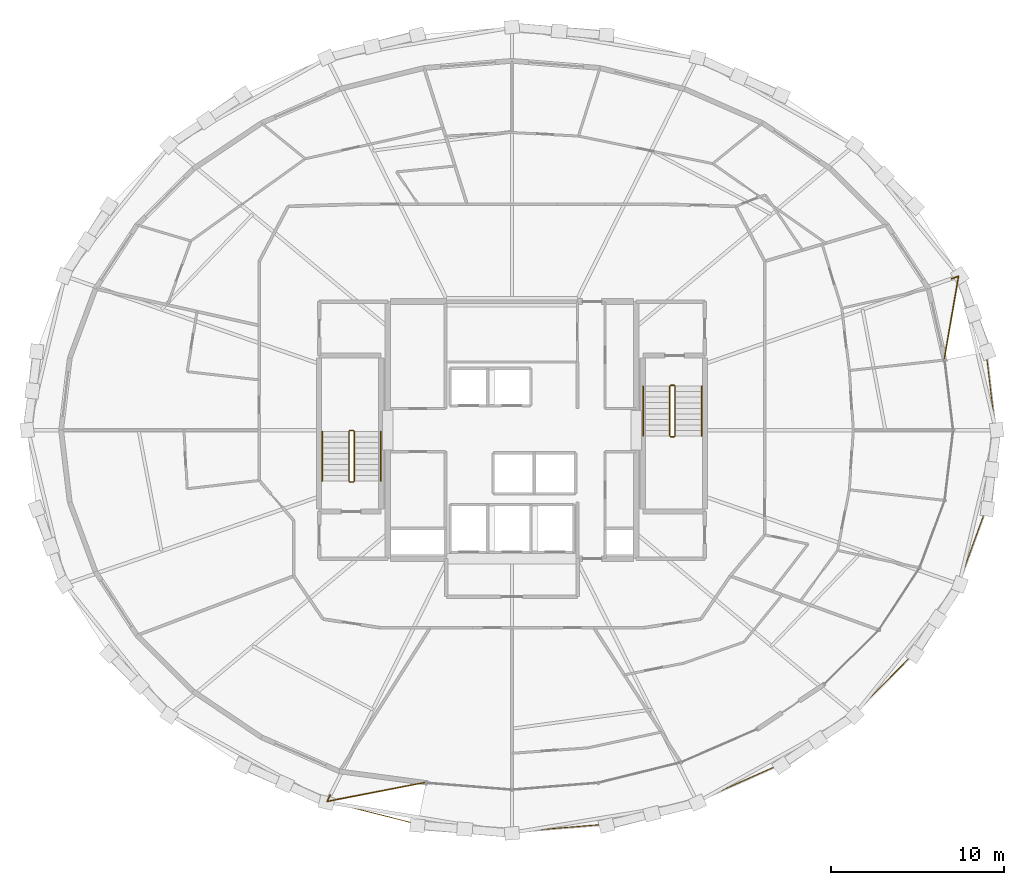
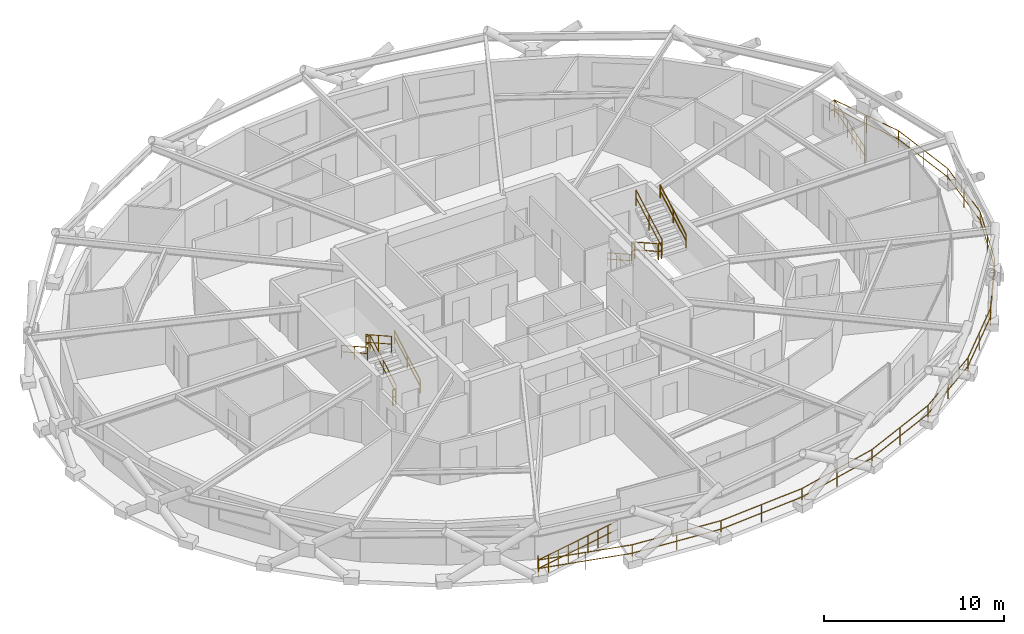
# One storey, part 19 of 19: 15 railings.
"""IFC4 building model written with IfcOpenShell, lengths in metres."""

import ifcopenshell
import ifcopenshell.guid

model = None  # the IFC model being written
_history = None  # IfcOwnerHistory: only IFC2X3 demands one
_inside = {}  # id of a spatial element -> (the spatial element, [elements in it])
_under = {}  # id of a project, library or spatial element -> (it, [spatial elements below it])
_declared = {}  # id of a project -> (the project, [libraries it declares])
_typed = {}  # id of a type object -> (the type object, [elements of that type])
_made_of = {}  # id of a material, layer set ... -> (it, [elements and type objects made of it])


def new_model(schema):
    """Start an empty IFC model of exactly this schema.

    Asked for "IFC4X3", IfcOpenShell would pick the latest addendum, in which some entities
    have other attributes; the version numbers below select the first issue.
    IFC2X3 requires an IfcOwnerHistory on every rooted entity: one is made here for all.
    """
    global model, _history
    if schema == "IFC4X3":
        model = ifcopenshell.file(schema_version=(4, 3, 0, 0))
    else:
        model = ifcopenshell.file(schema=schema)
    _inside.clear()
    _under.clear()
    _declared.clear()
    _typed.clear()
    _made_of.clear()
    _history = None
    if model.schema == "IFC2X3":
        org = make("IfcOrganization", Name="unknown")
        user = make(
            "IfcPersonAndOrganization",
            ThePerson=make("IfcPerson", FamilyName="unknown"),
            TheOrganization=org,
        )
        app = make(
            "IfcApplication",
            ApplicationDeveloper=org,
            Version="unknown",
            ApplicationFullName="unknown",
            ApplicationIdentifier="unknown",
        )
        _history = make(
            "IfcOwnerHistory",
            OwningUser=user,
            OwningApplication=app,
            ChangeAction="ADDED",
            CreationDate=0,
        )
    return model


def make(cls, **values):
    """One entity of the class cls with the attributes given. An attribute that is None is left unset."""
    return model.create_entity(
        cls, **{name: value for name, value in values.items() if value is not None}
    )


def rooted(cls, **values):
    """An entity with a GlobalId (a new one), such as an element, a storey or a relation."""
    return make(cls, GlobalId=ifcopenshell.guid.new(), OwnerHistory=_history, **values)


def si_unit(unit_type, name, prefix=None):
    """IfcSIUnit, for example si_unit("LENGTHUNIT", "METRE", prefix="MILLI")."""
    return make("IfcSIUnit", UnitType=unit_type, Prefix=prefix, Name=name)


def assignment(units):
    """IfcUnitAssignment: the units of a project."""
    return None if units is None else make("IfcUnitAssignment", Units=units)


def point(xyz):
    """IfcCartesianPoint."""
    return None if xyz is None else make("IfcCartesianPoint", Coordinates=xyz)


def direction(xyz):
    """IfcDirection."""
    return None if xyz is None else make("IfcDirection", DirectionRatios=xyz)


def frame(location, z_axis=None, x_axis=None):
    """IfcAxis2Placement3D, a coordinate frame: its origin and axes. An axis left out is left unset."""
    return make(
        "IfcAxis2Placement3D",
        Location=point(location),
        Axis=direction(z_axis),
        RefDirection=direction(x_axis),
    )


def frame_2d(location, x_axis=None):
    """IfcAxis2Placement2D, a coordinate frame in the plane: its origin and x axis."""
    return make(
        "IfcAxis2Placement2D", Location=point(location), RefDirection=direction(x_axis)
    )


def origin():
    """The frame at (0, 0, 0) with its axes left unset."""
    return frame((0.0, 0.0, 0.0))


def origin_2d():
    """The frame at (0, 0) in the plane with its x axis left unset."""
    return frame_2d((0.0, 0.0))


def place(relative_to, where):
    """IfcLocalPlacement: puts the frame where relative to a parent placement (None: the world)."""
    return make(
        "IfcLocalPlacement", PlacementRelTo=relative_to, RelativePlacement=where
    )


def context(
    kind, dimensions, precision=None, world=None, true_north=None, identifier=None
):
    """IfcGeometricRepresentationContext, for example the 3D "Model" context."""
    return make(
        "IfcGeometricRepresentationContext",
        ContextIdentifier=identifier,
        ContextType=kind,
        CoordinateSpaceDimension=dimensions,
        Precision=precision,
        WorldCoordinateSystem=world,
        TrueNorth=true_north,
    )


def subcontext(parent, identifier, kind, view, scale=None):
    """IfcGeometricRepresentationSubContext, for example "Body" below "Model"."""
    return make(
        "IfcGeometricRepresentationSubContext",
        ContextIdentifier=identifier,
        ContextType=kind,
        ParentContext=parent,
        TargetScale=scale,
        TargetView=view,
    )


def project(units=None, contexts=None):
    """IfcProject with its units and contexts."""
    return rooted(
        "IfcProject",
        Name="project",
        RepresentationContexts=contexts,
        UnitsInContext=assignment(units),
    )


def spatial(cls, under=None, at=None, **own):
    """A site, building, storey or space (cls), placed at a placement, below another one or the project."""
    s = rooted(cls, ObjectPlacement=at, **own)
    if under is not None:
        _under.setdefault(under.id(), (under, []))[1].append(s)
    return s


def profile(cls, at=None, kind="AREA", **sizes):
    """A parametric profile (cls). Its sizes go by their IFC names, for example OverallWidth=200.0."""
    return make(cls, ProfileType=kind, Position=at, **sizes)


def circle(**sizes):
    """IfcCircleProfileDef."""
    return profile("IfcCircleProfileDef", **sizes)


def extrude(swept, where, along, depth):
    """IfcExtrudedAreaSolid: the profile swept, set in the frame where, extruded along a direction by depth."""
    return make(
        "IfcExtrudedAreaSolid",
        SweptArea=swept,
        Position=where,
        ExtrudedDirection=direction(along),
        Depth=depth,
    )


def shape(context_of_items, identifier, shape_type, items):
    """IfcShapeRepresentation: the items that make up one representation, for example the "Body"."""
    return make(
        "IfcShapeRepresentation",
        ContextOfItems=context_of_items,
        RepresentationIdentifier=identifier,
        RepresentationType=shape_type,
        Items=items,
    )


def material(Name=None, Category=None):
    """IfcMaterial."""
    return make("IfcMaterial", Name=Name, Category=Category)


def made_of(thing, what):
    """Note that an element or type object is made of a material, layer set ...; save() writes the relation."""
    if what is not None:
        _made_of.setdefault(what.id(), (what, []))[1].append(thing)
    return thing


def type_object(cls, material=None, **own):
    """A type object (cls), such as IfcWallType, which elements share."""
    return made_of(rooted(cls, **own), material)


def element(
    cls,
    number,
    at=None,
    inside=None,
    cuts=None,
    type_object=None,
    material=None,
    context=None,
    identifier="Body",
    shape_type=None,
    held_by="IfcProductDefinitionShape",
    body=None,
    shapes=None,
    **own,
):
    """One element of the class cls, such as IfcWall. Its Tag is "e" and its number.

    at: its placement. inside: the storey or other place that contains it. cuts: it is an
    opening in that element (IfcRelVoidsElement). A single representation is given by context,
    identifier, shape_type and body (its items); several are given by shapes. held_by: the class
    of the entity that holds the representations. save() writes the other relations.
    """
    e = rooted(cls, Tag="e%d" % number, ObjectPlacement=at, **own)
    if body is not None:
        shapes = [shape(context, identifier, shape_type, body)]
    if shapes is not None:
        e.Representation = make(held_by, Representations=shapes)
    if inside is not None:
        _inside.setdefault(inside.id(), (inside, []))[1].append(e)
    if cuts is not None:
        rooted(
            "IfcRelVoidsElement", RelatingBuildingElement=cuts, RelatedOpeningElement=e
        )
    if type_object is not None:
        _typed.setdefault(type_object.id(), (type_object, []))[1].append(e)
    return made_of(e, material)


def aggregate(whole, parts):
    """IfcRelAggregates: a whole, such as a stair, and the parts it consists of."""
    return rooted("IfcRelAggregates", RelatingObject=whole, RelatedObjects=parts)


def save(model, path):
    """Write the relations noted so far, then the file.

    IfcRelAggregates (storeys below a building ...), IfcRelContainedInSpatialStructure (elements
    in a storey), IfcRelDefinesByType, IfcRelAssociatesMaterial and IfcRelDeclares: one each for
    every whole, place, type object, material and project.
    """
    for whole, parts in _under.values():
        aggregate(whole, parts)
    for where, things in _inside.values():
        rooted(
            "IfcRelContainedInSpatialStructure",
            RelatedElements=things,
            RelatingStructure=where,
        )
    for kind, things in _typed.values():
        rooted("IfcRelDefinesByType", RelatedObjects=things, RelatingType=kind)
    for what, things in _made_of.values():
        rooted("IfcRelAssociatesMaterial", RelatedObjects=things, RelatingMaterial=what)
    for by, libraries in _declared.values():
        rooted("IfcRelDeclares", RelatingContext=by, RelatedDefinitions=libraries)
    model.write(path)


model = new_model("IFC4")

# Units and contexts
model_context = context("Model", 3, precision=1e-05, world=origin(), true_north=direction((0.0, 1.0)))
body_context = subcontext(model_context, "Body", "Model", "MODEL_VIEW")
ifc_project = project(units=[si_unit("LENGTHUNIT", "METRE"), si_unit("AREAUNIT", "SQUARE_METRE"), si_unit("VOLUMEUNIT", "CUBIC_METRE"), si_unit("PLANEANGLEUNIT", "RADIAN"), si_unit("MASSUNIT", "GRAM", prefix="KILO")], contexts=[model_context])

# Site, building, storey
site_placement = place(None, origin())
site = spatial("IfcSite", under=ifc_project, at=site_placement, CompositionType="ELEMENT")
building_placement = place(site_placement, origin())
building = spatial("IfcBuilding", under=site, at=building_placement, Name="Veldorina Hangang Commons", CompositionType="ELEMENT")
storey_placement = place(building_placement, frame((0.0, 0.0, 167.60009765625)))
storey = spatial("IfcBuildingStorey", under=building, at=storey_placement, Name="L43", CompositionType="ELEMENT", Elevation=167.60009765625)

# Railings
ifc_material_1 = material(Name="Glass Laminated Safety Balustrade", Category="glass")
railing_type_1 = type_object("IfcRailingType", Name="RL-BAL-LOGGIA", PredefinedType="BALUSTRADE", material=ifc_material_1)
railing_1_placement = place(storey_placement, frame((21.47119140625, 2.859619140625, 0.0)))
element("IfcRailing", 1, at=railing_1_placement, inside=storey, type_object=railing_type_1, Name="L43 sky-garden loggia end balustrade A", PredefinedType="BALUSTRADE", context=body_context, shape_type="SweptSolid", body=[
    extrude(circle(Radius=0.02392578125, at=origin_2d()), frame((0.0, 0.0, 1.17578125), z_axis=(-0.445352149062, -0.895355495502, 0.0), x_axis=(0.895355495502, -0.445352149062, 0.0)), (0.0, 0.0, 1.0), 0.419921875),
    extrude(circle(Radius=0.02392578125, at=origin_2d()), frame((0.0, 0.0, 0.60009765625), z_axis=(-0.445352149062, -0.895355495502, 0.0), x_axis=(0.895355495502, -0.445352149062, 0.0)), (0.0, 0.0, 1.0), 0.419921875),
    extrude(circle(Radius=0.02392578125, at=origin_2d()), frame((-0.18701171875, -0.3759765625, 1.17578125), z_axis=(0.981812781562, 0.189851684117, 0.0), x_axis=(-0.189851684117, 0.981812781562, 0.0)), (0.0, 0.0, 1.0), 5.842041015625),
    extrude(circle(Radius=0.02392578125, at=origin_2d()), frame((-0.18701171875, -0.3759765625, 0.60009765625), z_axis=(0.981812781562, 0.189851684117, 0.0), x_axis=(-0.189851684117, 0.981812781562, 0.0)), (0.0, 0.0, 1.0), 5.842041015625),
    extrude(circle(Radius=0.02099609375, at=origin_2d()), origin(), (0.0, 0.0, 1.0), 1.15185546875),
    extrude(circle(Radius=0.02099609375, at=origin_2d()), frame((-0.18701171875, -0.3759765625, 0.0)), (0.0, 0.0, 1.0), 1.15185546875),
    extrude(circle(Radius=0.02099609375, at=origin_2d()), frame((0.530029296875, -0.2373046875, 0.0)), (0.0, 0.0, 1.0), 1.15185546875),
    extrude(circle(Radius=0.02099609375, at=origin_2d()), frame((1.2470703125, -0.0986328125, 0.0)), (0.0, 0.0, 1.0), 1.15185546875),
    extrude(circle(Radius=0.02099609375, at=origin_2d()), frame((1.9638671875, 0.0400390625, 0.0)), (0.0, 0.0, 1.0), 1.15185546875),
    extrude(circle(Radius=0.02099609375, at=origin_2d()), frame((2.680908203125, 0.1787109375, 0.0)), (0.0, 0.0, 1.0), 1.15185546875),
    extrude(circle(Radius=0.02099609375, at=origin_2d()), frame((3.39794921875, 0.317138671875, 0.0)), (0.0, 0.0, 1.0), 1.15185546875),
    extrude(circle(Radius=0.02099609375, at=origin_2d()), frame((4.11474609375, 0.455810546875, 0.0)), (0.0, 0.0, 1.0), 1.15185546875),
    extrude(circle(Radius=0.02099609375, at=origin_2d()), frame((4.831787109375, 0.594482421875, 0.0)), (0.0, 0.0, 1.0), 1.15185546875),
    extrude(circle(Radius=0.02099609375, at=origin_2d()), frame((5.548828125, 0.733154296875, 0.0)), (0.0, 0.0, 1.0), 1.15185546875),
])
railing_2_placement = place(storey_placement, frame((57.48388671875, 32.779052734375, 0.0)))
element("IfcRailing", 2, at=railing_2_placement, inside=storey, type_object=railing_type_1, Name="L43 sky-garden loggia end balustrade B", PredefinedType="BALUSTRADE", context=body_context, shape_type="SweptSolid", body=[
    extrude(circle(Radius=0.02392578125, at=origin_2d()), frame((0.0, 0.0, 1.17578125), z_axis=(0.945379156341, 0.325972776096, 0.0), x_axis=(-0.325972776096, 0.945379156341, 0.0)), (0.0, 0.0, 1.0), 0.420166015625),
    extrude(circle(Radius=0.02392578125, at=origin_2d()), frame((0.0, 0.0, 0.60009765625), z_axis=(0.945379156341, 0.325972776096, 0.0), x_axis=(-0.325972776096, 0.945379156341, 0.0)), (0.0, 0.0, 1.0), 0.420166015625),
    extrude(circle(Radius=0.02392578125, at=origin_2d()), frame((0.397216796875, 0.136962890625, 1.17578125), z_axis=(-0.169860455206, -0.985468125186, 0.0), x_axis=(0.985468125186, -0.169860455206, 0.0)), (0.0, 0.0, 1.0), 4.927001953125),
    extrude(circle(Radius=0.02392578125, at=origin_2d()), frame((0.397216796875, 0.136962890625, 0.60009765625), z_axis=(-0.169860455206, -0.985468125186, 0.0), x_axis=(0.985468125186, -0.169860455206, 0.0)), (0.0, 0.0, 1.0), 4.927001953125),
    extrude(circle(Radius=0.02099609375, at=origin_2d()), origin(), (0.0, 0.0, 1.0), 1.15185546875),
    extrude(circle(Radius=0.02099609375, at=origin_2d()), frame((0.397216796875, 0.136962890625, 0.0)), (0.0, 0.0, 1.0), 1.15185546875),
    extrude(circle(Radius=0.02099609375, at=origin_2d()), frame((0.277587890625, -0.556640625, 0.0)), (0.0, 0.0, 1.0), 1.15185546875),
    extrude(circle(Radius=0.02099609375, at=origin_2d()), frame((0.158203125, -1.250244140625, 0.0)), (0.0, 0.0, 1.0), 1.15185546875),
    extrude(circle(Radius=0.02099609375, at=origin_2d()), frame((0.03857421875, -1.94384765625, 0.0)), (0.0, 0.0, 1.0), 1.15185546875),
    extrude(circle(Radius=0.02099609375, at=origin_2d()), frame((-0.0810546875, -2.6376953125, 0.0)), (0.0, 0.0, 1.0), 1.15185546875),
    extrude(circle(Radius=0.02099609375, at=origin_2d()), frame((-0.20068359375, -3.331298828125, 0.0)), (0.0, 0.0, 1.0), 1.15185546875),
    extrude(circle(Radius=0.02099609375, at=origin_2d()), frame((-0.320068359375, -4.02490234375, 0.0)), (0.0, 0.0, 1.0), 1.15185546875),
    extrude(circle(Radius=0.02099609375, at=origin_2d()), frame((-0.439697265625, -4.718505859375, 0.0)), (0.0, 0.0, 1.0), 1.15185546875),
])
railing_3_placement = place(storey_placement, frame((21.2841796875, 2.483642578125, 0.0)))
element("IfcRailing", 3, at=railing_3_placement, inside=storey, type_object=railing_type_1, Name="L43 sky-garden loggia outer balustrade", PredefinedType="BALUSTRADE", context=body_context, shape_type="SweptSolid", body=[
    extrude(circle(Radius=0.02392578125, at=origin_2d()), frame((0.0, 0.0, 1.17578125), z_axis=(0.969700860439, -0.244295397548, 0.0), x_axis=(0.244295397548, 0.969700860439, 0.0)), (0.0, 0.0, 1.0), 5.41748046875),
    extrude(circle(Radius=0.02392578125, at=origin_2d()), frame((0.0, 0.0, 0.60009765625), z_axis=(0.969700860439, -0.244295397548, 0.0), x_axis=(0.244295397548, 0.969700860439, 0.0)), (0.0, 0.0, 1.0), 5.41748046875),
    extrude(circle(Radius=0.02392578125, at=origin_2d()), frame((5.25341796875, -1.323486328125, 1.17578125), z_axis=(0.996671775962, -0.08151914499, 0.0), x_axis=(0.08151914499, 0.996671775962, 0.0)), (0.0, 0.0, 1.0), 5.480712890625),
    extrude(circle(Radius=0.02392578125, at=origin_2d()), frame((5.25341796875, -1.323486328125, 0.60009765625), z_axis=(0.996671775962, -0.08151914499, 0.0), x_axis=(0.08151914499, 0.996671775962, 0.0)), (0.0, 0.0, 1.0), 5.480712890625),
    extrude(circle(Radius=0.02392578125, at=origin_2d()), frame((10.7158203125, -1.770263671875, 1.17578125), z_axis=(0.996671775962, 0.08151914499, 0.0), x_axis=(-0.08151914499, 0.996671775962, 0.0)), (0.0, 0.0, 1.0), 5.480712890625),
    extrude(circle(Radius=0.02392578125, at=origin_2d()), frame((10.7158203125, -1.770263671875, 0.60009765625), z_axis=(0.996671775962, 0.08151914499, 0.0), x_axis=(-0.08151914499, 0.996671775962, 0.0)), (0.0, 0.0, 1.0), 5.480712890625),
    extrude(circle(Radius=0.02392578125, at=origin_2d()), frame((16.17822265625, -1.323486328125, 1.17578125), z_axis=(0.969700860439, 0.244295397548, 0.0), x_axis=(-0.244295397548, 0.969700860439, 0.0)), (0.0, 0.0, 1.0), 5.41748046875),
    extrude(circle(Radius=0.02392578125, at=origin_2d()), frame((16.17822265625, -1.323486328125, 0.60009765625), z_axis=(0.969700860439, 0.244295397548, 0.0), x_axis=(-0.244295397548, 0.969700860439, 0.0)), (0.0, 0.0, 1.0), 5.41748046875),
    extrude(circle(Radius=0.02392578125, at=origin_2d()), frame((21.431640625, 0.0, 1.17578125), z_axis=(0.913972973407, 0.405775065624, 0.0), x_axis=(-0.405775065624, 0.913972973407, 0.0)), (0.0, 0.0, 1.0), 5.298828125),
    extrude(circle(Radius=0.02392578125, at=origin_2d()), frame((21.431640625, 0.0, 0.60009765625), z_axis=(0.913972973407, 0.405775065624, 0.0), x_axis=(-0.405775065624, 0.913972973407, 0.0)), (0.0, 0.0, 1.0), 5.298828125),
    extrude(circle(Radius=0.02392578125, at=origin_2d()), frame((26.274658203125, 2.150146484375, 1.17578125), z_axis=(0.826260511829, 0.563288173667, 0.0), x_axis=(-0.563288173667, 0.826260511829, 0.0)), (0.0, 0.0, 1.0), 5.138671875),
    extrude(circle(Radius=0.02392578125, at=origin_2d()), frame((26.274658203125, 2.150146484375, 0.60009765625), z_axis=(0.826260511829, 0.563288173667, 0.0), x_axis=(-0.563288173667, 0.826260511829, 0.0)), (0.0, 0.0, 1.0), 5.138671875),
    extrude(circle(Radius=0.02392578125, at=origin_2d()), frame((30.5205078125, 5.044677734375, 1.17578125), z_axis=(0.702737248704, 0.711449477675, 0.0), x_axis=(-0.711449477675, 0.702737248704, 0.0)), (0.0, 0.0, 1.0), 4.9599609375),
    extrude(circle(Radius=0.02392578125, at=origin_2d()), frame((30.5205078125, 5.044677734375, 0.60009765625), z_axis=(0.702737248704, 0.711449477675, 0.0), x_axis=(-0.711449477675, 0.702737248704, 0.0)), (0.0, 0.0, 1.0), 4.9599609375),
    extrude(circle(Radius=0.02392578125, at=origin_2d()), frame((34.006103515625, 8.573486328125, 1.17578125), z_axis=(0.541071941479, 0.840976310097, 0.0), x_axis=(-0.840976310097, 0.541071941479, 0.0)), (0.0, 0.0, 1.0), 4.788330078125),
    extrude(circle(Radius=0.02392578125, at=origin_2d()), frame((34.006103515625, 8.573486328125, 0.60009765625), z_axis=(0.541071941479, 0.840976310097, 0.0), x_axis=(-0.840976310097, 0.541071941479, 0.0)), (0.0, 0.0, 1.0), 4.788330078125),
    extrude(circle(Radius=0.02392578125, at=origin_2d()), frame((36.596923828125, 12.600341796875, 1.17578125), z_axis=(0.342909840938, 0.939368320196, 0.0), x_axis=(-0.939368320196, 0.342909840938, 0.0)), (0.0, 0.0, 1.0), 4.652587890625),
    extrude(circle(Radius=0.02392578125, at=origin_2d()), frame((36.596923828125, 12.600341796875, 0.60009765625), z_axis=(0.342909840938, 0.939368320196, 0.0), x_axis=(-0.939368320196, 0.342909840938, 0.0)), (0.0, 0.0, 1.0), 4.652587890625),
    extrude(circle(Radius=0.02392578125, at=origin_2d()), frame((38.1923828125, 16.970947265625, 1.17578125), z_axis=(0.117664402047, 0.993053416736, 0.0), x_axis=(-0.993053416736, 0.117664402047, 0.0)), (0.0, 0.0, 1.0), 4.5771484375),
    extrude(circle(Radius=0.02392578125, at=origin_2d()), frame((38.1923828125, 16.970947265625, 0.60009765625), z_axis=(0.117664402047, 0.993053416736, 0.0), x_axis=(-0.993053416736, 0.117664402047, 0.0)), (0.0, 0.0, 1.0), 4.5771484375),
    extrude(circle(Radius=0.02392578125, at=origin_2d()), frame((38.73095703125, 21.516357421875, 1.17578125), z_axis=(-0.117664402047, 0.993053416736, 0.0), x_axis=(-0.993053416736, -0.117664402047, 0.0)), (0.0, 0.0, 1.0), 4.5771484375),
    extrude(circle(Radius=0.02392578125, at=origin_2d()), frame((38.73095703125, 21.516357421875, 0.60009765625), z_axis=(-0.117664402047, 0.993053416736, 0.0), x_axis=(-0.993053416736, -0.117664402047, 0.0)), (0.0, 0.0, 1.0), 4.5771484375),
    extrude(circle(Radius=0.02392578125, at=origin_2d()), frame((38.1923828125, 26.061767578125, 1.17578125), z_axis=(-0.342909840938, 0.939368320196, 0.0), x_axis=(-0.939368320196, -0.342909840938, 0.0)), (0.0, 0.0, 1.0), 4.652587890625),
    extrude(circle(Radius=0.02392578125, at=origin_2d()), frame((38.1923828125, 26.061767578125, 0.60009765625), z_axis=(-0.342909840938, 0.939368320196, 0.0), x_axis=(-0.939368320196, -0.342909840938, 0.0)), (0.0, 0.0, 1.0), 4.652587890625),
    extrude(circle(Radius=0.02099609375, at=origin_2d()), origin(), (0.0, 0.0, 1.0), 1.15185546875),
    extrude(circle(Radius=0.02099609375, at=origin_2d()), frame((2.626708984375, -0.66162109375, 0.0)), (0.0, 0.0, 1.0), 1.15185546875),
    extrude(circle(Radius=0.02099609375, at=origin_2d()), frame((5.25341796875, -1.323486328125, 0.0)), (0.0, 0.0, 1.0), 1.15185546875),
    extrude(circle(Radius=0.02099609375, at=origin_2d()), frame((7.984619140625, -1.546875, 0.0)), (0.0, 0.0, 1.0), 1.15185546875),
    extrude(circle(Radius=0.02099609375, at=origin_2d()), frame((10.7158203125, -1.770263671875, 0.0)), (0.0, 0.0, 1.0), 1.15185546875),
    extrude(circle(Radius=0.02099609375, at=origin_2d()), frame((13.447021484375, -1.546875, 0.0)), (0.0, 0.0, 1.0), 1.15185546875),
    extrude(circle(Radius=0.02099609375, at=origin_2d()), frame((16.17822265625, -1.323486328125, 0.0)), (0.0, 0.0, 1.0), 1.15185546875),
    extrude(circle(Radius=0.02099609375, at=origin_2d()), frame((18.804931640625, -0.66162109375, 0.0)), (0.0, 0.0, 1.0), 1.15185546875),
    extrude(circle(Radius=0.02099609375, at=origin_2d()), frame((21.431640625, 0.0, 0.0)), (0.0, 0.0, 1.0), 1.15185546875),
    extrude(circle(Radius=0.02099609375, at=origin_2d()), frame((23.85302734375, 1.0751953125, 0.0)), (0.0, 0.0, 1.0), 1.15185546875),
    extrude(circle(Radius=0.02099609375, at=origin_2d()), frame((26.274658203125, 2.150146484375, 0.0)), (0.0, 0.0, 1.0), 1.15185546875),
    extrude(circle(Radius=0.02099609375, at=origin_2d()), frame((28.3974609375, 3.597412109375, 0.0)), (0.0, 0.0, 1.0), 1.15185546875),
    extrude(circle(Radius=0.02099609375, at=origin_2d()), frame((30.5205078125, 5.044677734375, 0.0)), (0.0, 0.0, 1.0), 1.15185546875),
    extrude(circle(Radius=0.02099609375, at=origin_2d()), frame((32.26318359375, 6.80908203125, 0.0)), (0.0, 0.0, 1.0), 1.15185546875),
    extrude(circle(Radius=0.02099609375, at=origin_2d()), frame((34.006103515625, 8.573486328125, 0.0)), (0.0, 0.0, 1.0), 1.15185546875),
    extrude(circle(Radius=0.02099609375, at=origin_2d()), frame((35.301513671875, 10.5869140625, 0.0)), (0.0, 0.0, 1.0), 1.15185546875),
    extrude(circle(Radius=0.02099609375, at=origin_2d()), frame((36.596923828125, 12.600341796875, 0.0)), (0.0, 0.0, 1.0), 1.15185546875),
    extrude(circle(Radius=0.02099609375, at=origin_2d()), frame((37.39453125, 14.78564453125, 0.0)), (0.0, 0.0, 1.0), 1.15185546875),
    extrude(circle(Radius=0.02099609375, at=origin_2d()), frame((38.1923828125, 16.970947265625, 0.0)), (0.0, 0.0, 1.0), 1.15185546875),
    extrude(circle(Radius=0.02099609375, at=origin_2d()), frame((38.461669921875, 19.24365234375, 0.0)), (0.0, 0.0, 1.0), 1.15185546875),
    extrude(circle(Radius=0.02099609375, at=origin_2d()), frame((38.73095703125, 21.516357421875, 0.0)), (0.0, 0.0, 1.0), 1.15185546875),
    extrude(circle(Radius=0.02099609375, at=origin_2d()), frame((38.461669921875, 23.7890625, 0.0)), (0.0, 0.0, 1.0), 1.15185546875),
    extrude(circle(Radius=0.02099609375, at=origin_2d()), frame((38.1923828125, 26.061767578125, 0.0)), (0.0, 0.0, 1.0), 1.15185546875),
    extrude(circle(Radius=0.02099609375, at=origin_2d()), frame((37.39453125, 28.2470703125, 0.0)), (0.0, 0.0, 1.0), 1.15185546875),
    extrude(circle(Radius=0.02099609375, at=origin_2d()), frame((36.596923828125, 30.432373046875, 0.0)), (0.0, 0.0, 1.0), 1.15185546875),
])
ifc_material_2 = material(Name="Steel Painted Balustrade", Category="steel")
railing_type_2 = type_object("IfcRailingType", Name="RL-GRD-STAIR", PredefinedType="GUARDRAIL", material=ifc_material_2)
railing_4_placement = place(storey_placement, frame((22.85009765625, 21.050048828125, 0.179931640625)))
element("IfcRailing", 4, at=railing_4_placement, inside=storey, type_object=railing_type_2, Name="L43 ST-1 stair guard 1", PredefinedType="GUARDRAIL", context=body_context, shape_type="SweptSolid", body=[
    extrude(circle(Radius=0.02392578125, at=origin_2d()), frame((0.0, 0.0, 1.076171875), z_axis=(0.0, 0.871583430097, 0.490247207417), x_axis=(-1.0, 0.0, 0.0)), (0.0, 0.0, 1.0), 3.30419921875),
    extrude(circle(Radius=0.02392578125, at=origin_2d()), frame((0.0, 0.0, 0.550048828125), z_axis=(0.0, 0.871583430097, 0.490247207417), x_axis=(-1.0, 0.0, 0.0)), (0.0, 0.0, 1.0), 3.30419921875),
    extrude(circle(Radius=0.02099609375, at=origin_2d()), origin(), (0.0, 0.0, 1.0), 1.052001953125),
    extrude(circle(Radius=0.02099609375, at=origin_2d()), frame((0.0, 1.43994140625, 0.81005859375)), (0.0, 0.0, 1.0), 1.052001953125),
    extrude(circle(Radius=0.02099609375, at=origin_2d()), frame((0.0, 2.8798828125, 1.619873046875)), (0.0, 0.0, 1.0), 1.052001953125),
])
railing_5_placement = place(storey_placement, frame((22.800048828125, 23.97998046875, 1.7998046875)))
element("IfcRailing", 5, at=railing_5_placement, inside=storey, type_object=railing_type_2, Name="L43 ST-1 stair guard 2", PredefinedType="GUARDRAIL", context=body_context, shape_type="SweptSolid", body=[
    extrude(circle(Radius=0.02392578125, at=origin_2d()), frame((0.0, 0.0, 1.076171875), z_axis=(-1.0, 0.0, 0.0), x_axis=(0.0, -1.0, 0.0)), (0.0, 0.0, 1.0), 0.199951171875),
    extrude(circle(Radius=0.02392578125, at=origin_2d()), frame((0.0, 0.0, 0.550048828125), z_axis=(-1.0, 0.0, 0.0), x_axis=(0.0, -1.0, 0.0)), (0.0, 0.0, 1.0), 0.199951171875),
    extrude(circle(Radius=0.02099609375, at=origin_2d()), origin(), (0.0, 0.0, 1.0), 1.052001953125),
    extrude(circle(Radius=0.02099609375, at=origin_2d()), frame((-0.199951171875, 0.0, 0.0)), (0.0, 0.0, 1.0), 1.052001953125),
])
railing_6_placement = place(storey_placement, frame((22.550048828125, 23.929931640625, 1.97998046875)))
element("IfcRailing", 6, at=railing_6_placement, inside=storey, type_object=railing_type_2, Name="L43 ST-1 stair guard 3", PredefinedType="GUARDRAIL", context=body_context, shape_type="SweptSolid", body=[
    extrude(circle(Radius=0.02392578125, at=origin_2d()), frame((0.0, 0.0, 1.076171875), z_axis=(0.0, -0.871583430097, 0.490247207417), x_axis=(1.0, 0.0, 0.0)), (0.0, 0.0, 1.0), 3.30419921875),
    extrude(circle(Radius=0.02392578125, at=origin_2d()), frame((0.0, 0.0, 0.550048828125), z_axis=(0.0, -0.871583430097, 0.490247207417), x_axis=(1.0, 0.0, 0.0)), (0.0, 0.0, 1.0), 3.30419921875),
    extrude(circle(Radius=0.02099609375, at=origin_2d()), origin(), (0.0, 0.0, 1.0), 1.052001953125),
    extrude(circle(Radius=0.02099609375, at=origin_2d()), frame((0.0, -1.43994140625, 0.81005859375)), (0.0, 0.0, 1.0), 1.052001953125),
    extrude(circle(Radius=0.02099609375, at=origin_2d()), frame((0.0, -2.8798828125, 1.619873046875)), (0.0, 0.0, 1.0), 1.052001953125),
])
railing_7_placement = place(storey_placement, frame((22.800048828125, 21.0, 0.0)))
element("IfcRailing", 7, at=railing_7_placement, inside=storey, type_object=railing_type_2, Name="L43 ST-1 stair guard 4", PredefinedType="GUARDRAIL", context=body_context, shape_type="SweptSolid", body=[
    extrude(circle(Radius=0.02392578125, at=origin_2d()), frame((0.0, 0.0, 1.076171875), z_axis=(-1.0, 0.0, 0.0), x_axis=(0.0, -1.0, 0.0)), (0.0, 0.0, 1.0), 0.199951171875),
    extrude(circle(Radius=0.02392578125, at=origin_2d()), frame((0.0, 0.0, 0.550048828125), z_axis=(-1.0, 0.0, 0.0), x_axis=(0.0, -1.0, 0.0)), (0.0, 0.0, 1.0), 0.199951171875),
    extrude(circle(Radius=0.02099609375, at=origin_2d()), origin(), (0.0, 0.0, 1.0), 1.052001953125),
    extrude(circle(Radius=0.02099609375, at=origin_2d()), frame((-0.199951171875, 0.0, 0.0)), (0.0, 0.0, 1.0), 1.052001953125),
])
railing_8_placement = place(storey_placement, frame((41.14990234375, 26.550048828125, 0.179931640625)))
element("IfcRailing", 8, at=railing_8_placement, inside=storey, type_object=railing_type_2, Name="L43 ST-2 stair guard 1", PredefinedType="GUARDRAIL", context=body_context, shape_type="SweptSolid", body=[
    extrude(circle(Radius=0.02392578125, at=origin_2d()), frame((0.0, 0.0, 1.076171875), z_axis=(0.0, -0.871601186807, 0.490215637405), x_axis=(1.0, 0.0, 0.0)), (0.0, 0.0, 1.0), 3.304443359375),
    extrude(circle(Radius=0.02392578125, at=origin_2d()), frame((0.0, 0.0, 0.550048828125), z_axis=(0.0, -0.871601186807, 0.490215637405), x_axis=(1.0, 0.0, 0.0)), (0.0, 0.0, 1.0), 3.304443359375),
    extrude(circle(Radius=0.02099609375, at=origin_2d()), origin(), (0.0, 0.0, 1.0), 1.052001953125),
    extrude(circle(Radius=0.02099609375, at=origin_2d()), frame((0.0, -1.43994140625, 0.81005859375)), (0.0, 0.0, 1.0), 1.052001953125),
    extrude(circle(Radius=0.02099609375, at=origin_2d()), frame((0.0, -2.880126953125, 1.619873046875)), (0.0, 0.0, 1.0), 1.052001953125),
])
railing_9_placement = place(storey_placement, frame((41.199951171875, 23.6201171875, 1.7998046875)))
element("IfcRailing", 9, at=railing_9_placement, inside=storey, type_object=railing_type_2, Name="L43 ST-2 stair guard 2", PredefinedType="GUARDRAIL", context=body_context, shape_type="SweptSolid", body=[
    extrude(circle(Radius=0.02392578125, at=origin_2d()), frame((0.0, 0.0, 1.076171875), z_axis=(1.0, 0.0, 0.0), x_axis=(0.0, 1.0, 0.0)), (0.0, 0.0, 1.0), 0.199951171875),
    extrude(circle(Radius=0.02392578125, at=origin_2d()), frame((0.0, 0.0, 0.550048828125), z_axis=(1.0, 0.0, 0.0), x_axis=(0.0, 1.0, 0.0)), (0.0, 0.0, 1.0), 0.199951171875),
    extrude(circle(Radius=0.02099609375, at=origin_2d()), origin(), (0.0, 0.0, 1.0), 1.052001953125),
    extrude(circle(Radius=0.02099609375, at=origin_2d()), frame((0.199951171875, 0.0, 0.0)), (0.0, 0.0, 1.0), 1.052001953125),
])
railing_10_placement = place(storey_placement, frame((41.449951171875, 23.669921875, 1.97998046875)))
element("IfcRailing", 10, at=railing_10_placement, inside=storey, type_object=railing_type_2, Name="L43 ST-2 stair guard 3", PredefinedType="GUARDRAIL", context=body_context, shape_type="SweptSolid", body=[
    extrude(circle(Radius=0.02392578125, at=origin_2d()), frame((0.0, 0.0, 1.076171875), z_axis=(0.0, 0.871601186807, 0.490215637405), x_axis=(-1.0, 0.0, 0.0)), (0.0, 0.0, 1.0), 3.304443359375),
    extrude(circle(Radius=0.02392578125, at=origin_2d()), frame((0.0, 0.0, 0.550048828125), z_axis=(0.0, 0.871601186807, 0.490215637405), x_axis=(-1.0, 0.0, 0.0)), (0.0, 0.0, 1.0), 3.304443359375),
    extrude(circle(Radius=0.02099609375, at=origin_2d()), origin(), (0.0, 0.0, 1.0), 1.052001953125),
    extrude(circle(Radius=0.02099609375, at=origin_2d()), frame((0.0, 1.43994140625, 0.81005859375)), (0.0, 0.0, 1.0), 1.052001953125),
    extrude(circle(Radius=0.02099609375, at=origin_2d()), frame((0.0, 2.880126953125, 1.619873046875)), (0.0, 0.0, 1.0), 1.052001953125),
])
railing_11_placement = place(storey_placement, frame((41.199951171875, 26.60009765625, 0.0)))
element("IfcRailing", 11, at=railing_11_placement, inside=storey, type_object=railing_type_2, Name="L43 ST-2 stair guard 4", PredefinedType="GUARDRAIL", context=body_context, shape_type="SweptSolid", body=[
    extrude(circle(Radius=0.02392578125, at=origin_2d()), frame((0.0, 0.0, 1.076171875), z_axis=(1.0, 0.0, 0.0), x_axis=(0.0, 1.0, 0.0)), (0.0, 0.0, 1.0), 0.199951171875),
    extrude(circle(Radius=0.02392578125, at=origin_2d()), frame((0.0, 0.0, 0.550048828125), z_axis=(1.0, 0.0, 0.0), x_axis=(0.0, 1.0, 0.0)), (0.0, 0.0, 1.0), 0.199951171875),
    extrude(circle(Radius=0.02099609375, at=origin_2d()), origin(), (0.0, 0.0, 1.0), 1.052001953125),
    extrude(circle(Radius=0.02099609375, at=origin_2d()), frame((0.199951171875, 0.0, 0.0)), (0.0, 0.0, 1.0), 1.052001953125),
])
ifc_material_3 = material(Name="Stainless Steel Brushed 316", Category="steel")
railing_type_3 = type_object("IfcRailingType", Name="RL-HND-STAIR", PredefinedType="HANDRAIL", material=ifc_material_3)
railing_12_placement = place(storey_placement, frame((24.39990234375, 21.050048828125, 0.179931640625)))
element("IfcRailing", 12, at=railing_12_placement, inside=storey, type_object=railing_type_3, Name="L43 ST-1 stair handrail 1", PredefinedType="HANDRAIL", context=body_context, shape_type="SweptSolid", body=[
    extrude(circle(Radius=0.02392578125, at=origin_2d()), frame((0.0, 0.0, 0.8759765625), z_axis=(0.0, 0.871583430097, 0.490247207417), x_axis=(-1.0, 0.0, 0.0)), (0.0, 0.0, 1.0), 3.30419921875),
    extrude(circle(Radius=0.02392578125, at=origin_2d()), frame((0.0, 0.0, 0.449951171875), z_axis=(0.0, 0.871583430097, 0.490247207417), x_axis=(-1.0, 0.0, 0.0)), (0.0, 0.0, 1.0), 3.30419921875),
    extrude(circle(Radius=0.02099609375, at=origin_2d()), origin(), (0.0, 0.0, 1.0), 0.851806640625),
    extrude(circle(Radius=0.02099609375, at=origin_2d()), frame((0.0, 1.43994140625, 0.81005859375)), (0.0, 0.0, 1.0), 0.851806640625),
    extrude(circle(Radius=0.02099609375, at=origin_2d()), frame((0.0, 2.8798828125, 1.619873046875)), (0.0, 0.0, 1.0), 0.851806640625),
])
railing_13_placement = place(storey_placement, frame((21.0, 23.929931640625, 1.97998046875)))
element("IfcRailing", 13, at=railing_13_placement, inside=storey, type_object=railing_type_3, Name="L43 ST-1 stair handrail 2", PredefinedType="HANDRAIL", context=body_context, shape_type="SweptSolid", body=[
    extrude(circle(Radius=0.02392578125, at=origin_2d()), frame((0.0, 0.0, 0.8759765625), z_axis=(0.0, -0.871583430097, 0.490247207417), x_axis=(1.0, 0.0, 0.0)), (0.0, 0.0, 1.0), 3.30419921875),
    extrude(circle(Radius=0.02392578125, at=origin_2d()), frame((0.0, 0.0, 0.449951171875), z_axis=(0.0, -0.871583430097, 0.490247207417), x_axis=(1.0, 0.0, 0.0)), (0.0, 0.0, 1.0), 3.30419921875),
    extrude(circle(Radius=0.02099609375, at=origin_2d()), origin(), (0.0, 0.0, 1.0), 0.851806640625),
    extrude(circle(Radius=0.02099609375, at=origin_2d()), frame((0.0, -1.43994140625, 0.81005859375)), (0.0, 0.0, 1.0), 0.851806640625),
    extrude(circle(Radius=0.02099609375, at=origin_2d()), frame((0.0, -2.8798828125, 1.619873046875)), (0.0, 0.0, 1.0), 0.851806640625),
])
railing_14_placement = place(storey_placement, frame((39.60009765625, 26.550048828125, 0.179931640625)))
element("IfcRailing", 14, at=railing_14_placement, inside=storey, type_object=railing_type_3, Name="L43 ST-2 stair handrail 1", PredefinedType="HANDRAIL", context=body_context, shape_type="SweptSolid", body=[
    extrude(circle(Radius=0.02392578125, at=origin_2d()), frame((0.0, 0.0, 0.8759765625), z_axis=(0.0, -0.871601186807, 0.490215637405), x_axis=(1.0, 0.0, 0.0)), (0.0, 0.0, 1.0), 3.304443359375),
    extrude(circle(Radius=0.02392578125, at=origin_2d()), frame((0.0, 0.0, 0.449951171875), z_axis=(0.0, -0.871601186807, 0.490215637405), x_axis=(1.0, 0.0, 0.0)), (0.0, 0.0, 1.0), 3.304443359375),
    extrude(circle(Radius=0.02099609375, at=origin_2d()), origin(), (0.0, 0.0, 1.0), 0.851806640625),
    extrude(circle(Radius=0.02099609375, at=origin_2d()), frame((0.0, -1.43994140625, 0.81005859375)), (0.0, 0.0, 1.0), 0.851806640625),
    extrude(circle(Radius=0.02099609375, at=origin_2d()), frame((0.0, -2.880126953125, 1.619873046875)), (0.0, 0.0, 1.0), 0.851806640625),
])
railing_15_placement = place(storey_placement, frame((43.0, 23.669921875, 1.97998046875)))
element("IfcRailing", 15, at=railing_15_placement, inside=storey, type_object=railing_type_3, Name="L43 ST-2 stair handrail 2", PredefinedType="HANDRAIL", context=body_context, shape_type="SweptSolid", body=[
    extrude(circle(Radius=0.02392578125, at=origin_2d()), frame((0.0, 0.0, 0.8759765625), z_axis=(0.0, 0.871601186807, 0.490215637405), x_axis=(-1.0, 0.0, 0.0)), (0.0, 0.0, 1.0), 3.304443359375),
    extrude(circle(Radius=0.02392578125, at=origin_2d()), frame((0.0, 0.0, 0.449951171875), z_axis=(0.0, 0.871601186807, 0.490215637405), x_axis=(-1.0, 0.0, 0.0)), (0.0, 0.0, 1.0), 3.304443359375),
    extrude(circle(Radius=0.02099609375, at=origin_2d()), origin(), (0.0, 0.0, 1.0), 0.851806640625),
    extrude(circle(Radius=0.02099609375, at=origin_2d()), frame((0.0, 1.43994140625, 0.81005859375)), (0.0, 0.0, 1.0), 0.851806640625),
    extrude(circle(Radius=0.02099609375, at=origin_2d()), frame((0.0, 2.880126953125, 1.619873046875)), (0.0, 0.0, 1.0), 0.851806640625),
])

save(model, "model.ifc")
